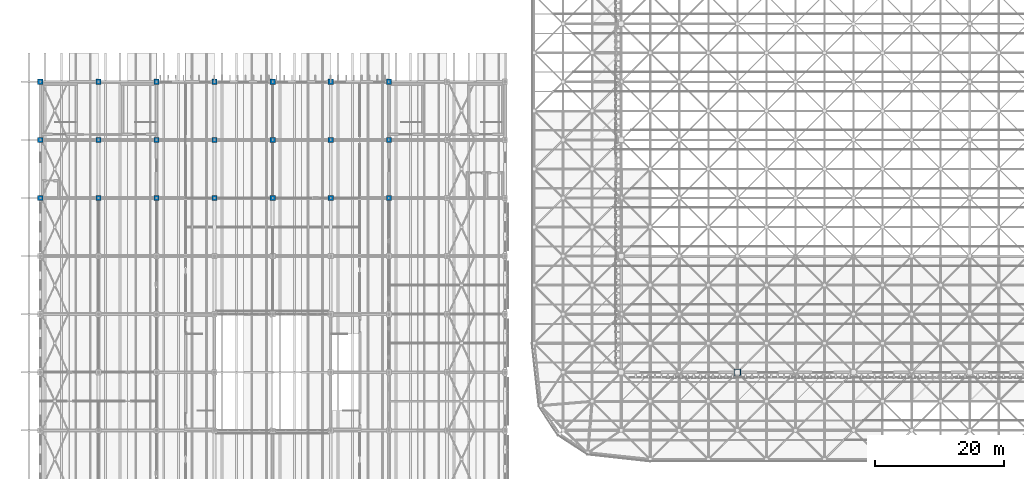
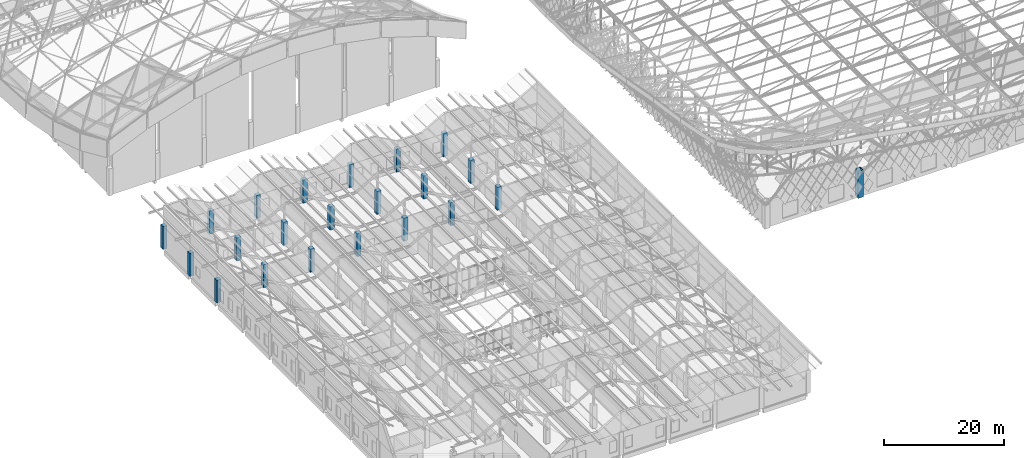
# One storey, part 2 of 437: 22 columns.
"""IFC4 building model written with IfcOpenShell, lengths in metres."""

from ifc_helpers import new_model, si_unit, direction, frame, origin, origin_2d, place, context, subcontext, project, spatial, rectangle, hollow_rectangle, extrude, material, material_profile, profile_set, type_object, element, save


model = new_model("IFC4")

# Units and contexts
model_context = context("Model", 3, precision=1e-05, world=origin(), true_north=direction((0.0, 1.0)))
body_context = subcontext(model_context, "Body", "Model", "MODEL_VIEW")
ifc_project = project(units=[si_unit("LENGTHUNIT", "METRE"), si_unit("AREAUNIT", "SQUARE_METRE"), si_unit("VOLUMEUNIT", "CUBIC_METRE"), si_unit("PLANEANGLEUNIT", "RADIAN"), si_unit("MASSUNIT", "GRAM", prefix="KILO")], contexts=[model_context])

# Site, building, storey
site_placement = place(None, origin())
site = spatial("IfcSite", under=ifc_project, at=site_placement, CompositionType="ELEMENT")
building_placement = place(site_placement, origin())
building = spatial("IfcBuilding", under=site, at=building_placement, Name="Opaline Strait Convention Centre", CompositionType="ELEMENT")
storey_placement = place(building_placement, frame((0.0, 0.0, 11.5)))
storey = spatial("IfcBuildingStorey", under=building, at=storey_placement, Name="L02", CompositionType="ELEMENT", Elevation=11.5)

# Columns
ifc_material_1 = material(Name="Steel Q355B", Category="steel")
ifc_material_profile_1 = material_profile(ifc_material_1, hollow_rectangle(XDim=1.0, YDim=1.0, WallThickness=0.031982421875, at=origin_2d()), Name="BOX 1000x1000x32")
ifc_profile_set_1 = profile_set([ifc_material_profile_1], Name="Steel Q355B")
column_type_1 = type_object("IfcColumnType", Name="CFT column BOX 1000x1000x32 C60 fill", PredefinedType="COLUMN", material=ifc_profile_set_1)
column_placement = place(storey_placement, frame((117.0, 54.0, 0.0), z_axis=(0.0, 0.0, 1.0), x_axis=(1.0, 0.0, 0.0)))
element("IfcColumn", 1, at=column_placement, inside=storey, type_object=column_type_1, Name="Roof column XC-08", ObjectType="XC1", PredefinedType="COLUMN", context=body_context, shape_type="SweptSolid", body=[
    extrude(hollow_rectangle(XDim=1.0, YDim=1.0, WallThickness=0.031982421875, at=origin_2d()), origin(), (0.0, 0.0, 1.0), 5.5),
])
ifc_material_2 = material(Name="Concrete C40", Category="concrete")
ifc_material_profile_2 = material_profile(ifc_material_2, rectangle(XDim=0.800048828125, YDim=0.800048828125, at=origin_2d()), Name="RC 800x800")
ifc_profile_set_2 = profile_set([ifc_material_profile_2], Name="Concrete C40")
column_type_2 = type_object("IfcColumnType", Name="RC column 800x800 C40", PredefinedType="COLUMN", material=ifc_profile_set_2)
for number, where, z_axis, x_axis, name in (
    (2, (9.0, 81.0, 0.0), (0.0, 0.0, 1.0), (1.0, 0.0, 0.0), "RC1 L02 at 9/81"),
    (3, (9.0, 90.0, 0.0), (0.0, 0.0, 1.0), (1.0, 0.0, 0.0), "RC1 L02 at 9/90"),
    (4, (9.0, 99.0, 0.0), (0.0, 0.0, 1.0), (1.0, 0.0, 0.0), "RC1 L02 at 9/99"),
    (5, (18.0, 81.0, 0.0), (0.0, 0.0, 1.0), (1.0, 0.0, 0.0), "RC1 L02 at 18/81"),
    (6, (18.0, 90.0, 0.0), (0.0, 0.0, 1.0), (1.0, 0.0, 0.0), "RC1 L02 at 18/90"),
    (7, (18.0, 99.0, 0.0), (0.0, 0.0, 1.0), (1.0, 0.0, 0.0), "RC1 L02 at 18/99"),
    (8, (27.0, 81.0, 0.0), (0.0, 0.0, 1.0), (1.0, 0.0, 0.0), "RC1 L02 at 27/81"),
    (9, (27.0, 90.0, 0.0), (0.0, 0.0, 1.0), (1.0, 0.0, 0.0), "RC1 L02 at 27/90"),
    (10, (27.0, 99.0, 0.0), (0.0, 0.0, 1.0), (1.0, 0.0, 0.0), "RC1 L02 at 27/99"),
    (11, (36.0, 81.0, 0.0), (0.0, 0.0, 1.0), (1.0, 0.0, 0.0), "RC1 L02 at 36/81"),
    (12, (36.0, 90.0, 0.0), (0.0, 0.0, 1.0), (1.0, 0.0, 0.0), "RC1 L02 at 36/90"),
    (13, (36.0, 99.0, 0.0), (0.0, 0.0, 1.0), (1.0, 0.0, 0.0), "RC1 L02 at 36/99"),
    (14, (45.0, 81.0, 0.0), (0.0, 0.0, 1.0), (1.0, 0.0, 0.0), "RC1 L02 at 45/81"),
    (15, (45.0, 90.0, 0.0), (0.0, 0.0, 1.0), (1.0, 0.0, 0.0), "RC1 L02 at 45/90"),
    (16, (45.0, 99.0, 0.0), (0.0, 0.0, 1.0), (1.0, 0.0, 0.0), "RC1 L02 at 45/99"),
    (17, (54.0, 81.0, 0.0), (0.0, 0.0, 1.0), (1.0, 0.0, 0.0), "RC1 L02 at 54/81"),
    (18, (54.0, 90.0, 0.0), (0.0, 0.0, 1.0), (1.0, 0.0, 0.0), "RC1 L02 at 54/90"),
    (19, (54.0, 99.0, 0.0), (0.0, 0.0, 1.0), (1.0, 0.0, 0.0), "RC1 L02 at 54/99"),
    (20, (63.0, 81.0, 0.0), (0.0, 0.0, 1.0), (1.0, 0.0, 0.0), "RC1 L02 at 63/81"),
    (21, (63.0, 90.0, 0.0), (0.0, 0.0, 1.0), (1.0, 0.0, 0.0), "RC1 L02 at 63/90"),
    (22, (63.0, 99.0, 0.0), (0.0, 0.0, 1.0), (1.0, 0.0, 0.0), "RC1 L02 at 63/99"),
):
    element("IfcColumn", number, at=place(storey_placement, frame(where, z_axis=z_axis, x_axis=x_axis)), inside=storey, type_object=column_type_2, Name=name, PredefinedType="COLUMN", context=body_context, shape_type="SweptSolid", body=[
        extrude(rectangle(XDim=0.800048828125, YDim=0.800048828125, at=origin_2d()), origin(), (0.0, 0.0, 1.0), 4.669921875),
    ])

save(model, "model.ifc")
